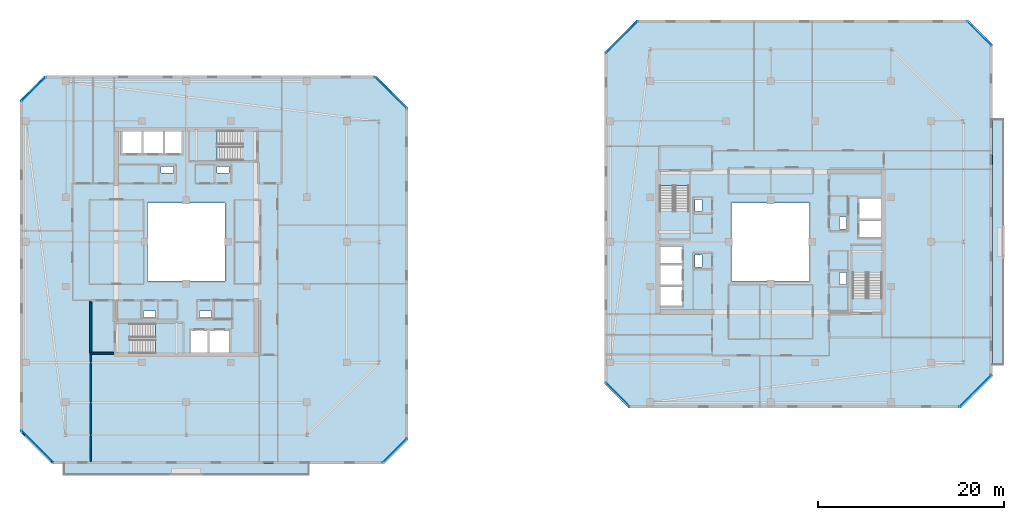
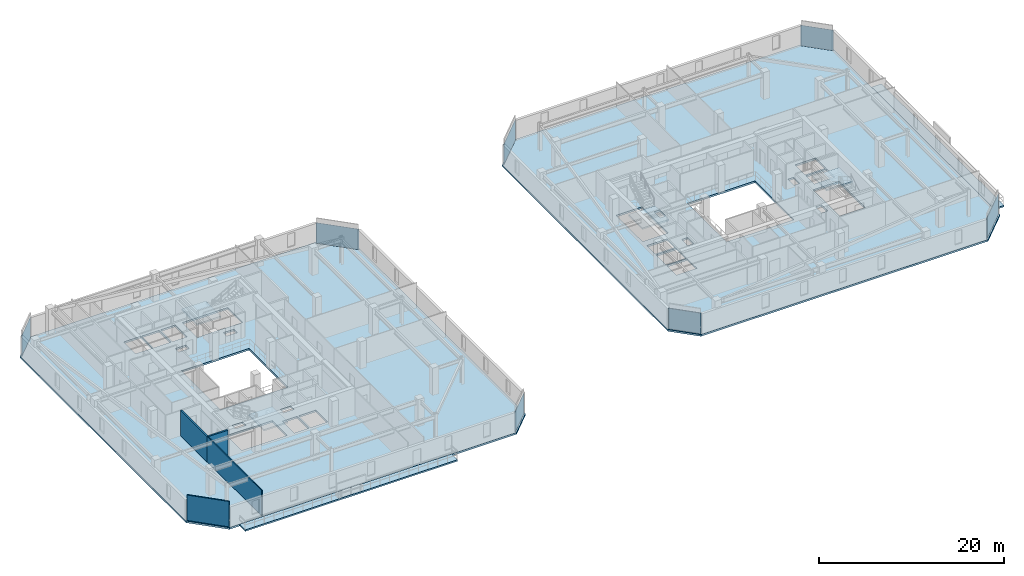
# One storey, part 20 of 35: 8 plates, 8 slabs, 4 walls, 12 elements without a shape of their own.
"""IFC4 building model written with IfcOpenShell, lengths in metres."""

from ifc_helpers import new_model, si_unit, direction, frame, frame_2d, origin, origin_2d, place, context, subcontext, project, spatial, polyline, rectangle, outline, extrude, material, layer, layer_set, type_object, element, aggregate, save


model = new_model("IFC4")

# Units and contexts
model_context = context("Model", 3, precision=1e-05, world=origin(), true_north=direction((0.0, 1.0)))
body_context = subcontext(model_context, "Body", "Model", "MODEL_VIEW")
ifc_project = project(units=[si_unit("LENGTHUNIT", "METRE"), si_unit("AREAUNIT", "SQUARE_METRE"), si_unit("VOLUMEUNIT", "CUBIC_METRE"), si_unit("PLANEANGLEUNIT", "RADIAN"), si_unit("MASSUNIT", "GRAM", prefix="KILO")], contexts=[model_context])

# Site, building, storey
site_placement = place(None, origin())
site = spatial("IfcSite", under=ifc_project, at=site_placement, CompositionType="ELEMENT")
building_placement = place(site_placement, origin())
building = spatial("IfcBuilding", under=site, at=building_placement, Name="Thornwick Lancets Civic Towers", CompositionType="ELEMENT")
storey_placement = place(building_placement, frame((0.0, 0.0, 265.5)))
storey = spatial("IfcBuildingStorey", under=building, at=storey_placement, Name="L71", CompositionType="ELEMENT", Elevation=265.5)

# Curtain wall, plate
ifc_material_1 = material(Name="High-zone chamfered-corner unitised glass curtain wall", Category="glass")
curtain_wall_type = type_object("IfcCurtainWallType", Name="CW_SYS_05", PredefinedType="NOTDEFINED", material=ifc_material_1)
curtain_wall_1_placement = place(storey_placement, origin())
curtain_wall_1 = element("IfcCurtainWall", 1, at=curtain_wall_1_placement, inside=storey, type_object=curtain_wall_type, Name="L71 Curtain Wall CW-L71-A-E1", PredefinedType="NOTDEFINED")
ifc_material_2 = material(Name="Low-e double glazing clear glass", Category="glass")
ifc_layer_1 = layer(ifc_material_2, 0.035888671875, Name="Low-e double glazing clear glass")
ifc_layer_set_1 = layer_set([ifc_layer_1], Name="Low-e double glazing clear glass")
plate_type = type_object("IfcPlateType", Name="CW_PNL_GLASS", PredefinedType="CURTAIN_PANEL", material=ifc_layer_set_1)
plate_1_placement = place(storey_placement, frame((47.972900390625, 4.527099609375, 0.0), z_axis=(0.0, 0.0, 1.0), x_axis=(0.707106781187, 0.707106781187, 0.0)))
plate_1 = element("IfcPlate", 2, at=plate_1_placement, type_object=plate_type, Name="CW-L71-A-E1 Panel 0", PredefinedType="CURTAIN_PANEL", context=body_context, shape_type="SweptSolid", body=[
    extrude(rectangle(XDim=3.649169921875, YDim=0.035888671875, at=origin_2d()), origin(), (0.0, 0.0, 1.0), 2.699951171875),
])
aggregate(curtain_wall_1, [plate_1])

curtain_wall_2_placement = place(storey_placement, origin())
curtain_wall_2 = element("IfcCurtainWall", 3, at=curtain_wall_2_placement, inside=storey, type_object=curtain_wall_type, Name="L71 Curtain Wall CW-L71-A-E3", PredefinedType="NOTDEFINED")
plate_2_placement = place(storey_placement, frame((47.5576171875, 43.0576171875, 0.0), z_axis=(0.0, 0.0, 1.0), x_axis=(-0.707106781187, 0.707106781187, 0.0)))
plate_2 = element("IfcPlate", 4, at=plate_2_placement, type_object=plate_type, Name="CW-L71-A-E3 Panel 0", PredefinedType="CURTAIN_PANEL", context=body_context, shape_type="SweptSolid", body=[
    extrude(rectangle(XDim=4.816162109375, YDim=0.035888671875, at=origin_2d()), origin(), (0.0, 0.0, 1.0), 2.699951171875),
])
aggregate(curtain_wall_2, [plate_2])

curtain_wall_3_placement = place(storey_placement, origin())
curtain_wall_3 = element("IfcCurtainWall", 5, at=curtain_wall_3_placement, inside=storey, type_object=curtain_wall_type, Name="L71 Curtain Wall CW-L71-A-E5", PredefinedType="NOTDEFINED")
plate_3_placement = place(storey_placement, frame((9.027099609375, 43.472900390625, 0.0), z_axis=(0.0, 0.0, 1.0), x_axis=(-0.707106781187, -0.707106781187, 0.0)))
plate_3 = element("IfcPlate", 6, at=plate_3_placement, type_object=plate_type, Name="CW-L71-A-E5 Panel 0", PredefinedType="CURTAIN_PANEL", context=body_context, shape_type="SweptSolid", body=[
    extrude(rectangle(XDim=3.649169921875, YDim=0.035888671875, at=origin_2d()), origin(), (0.0, 0.0, 1.0), 2.699951171875),
])
aggregate(curtain_wall_3, [plate_3])

curtain_wall_4_placement = place(storey_placement, origin())
curtain_wall_4 = element("IfcCurtainWall", 7, at=curtain_wall_4_placement, inside=storey, type_object=curtain_wall_type, Name="L71 Curtain Wall CW-L71-A-E7", PredefinedType="NOTDEFINED")
plate_4_placement = place(storey_placement, frame((9.442138671875, 4.942138671875, 0.0), z_axis=(0.0, 0.0, 1.0), x_axis=(0.707106781187, -0.707106781187, 0.0)))
plate_4 = element("IfcPlate", 8, at=plate_4_placement, type_object=plate_type, Name="CW-L71-A-E7 Panel 0", PredefinedType="CURTAIN_PANEL", context=body_context, shape_type="SweptSolid", body=[
    extrude(rectangle(XDim=4.816162109375, YDim=0.035888671875, at=origin_2d()), origin(), (0.0, 0.0, 1.0), 2.699951171875),
])
aggregate(curtain_wall_4, [plate_4])

curtain_wall_5_placement = place(storey_placement, origin())
curtain_wall_5 = element("IfcCurtainWall", 9, at=curtain_wall_5_placement, inside=storey, type_object=curtain_wall_type, Name="L71 Curtain Wall CW-L71-B-E1", PredefinedType="NOTDEFINED")
plate_5_placement = place(storey_placement, frame((110.5576171875, 10.942138671875, 0.0), z_axis=(0.0, 0.0, 1.0), x_axis=(0.707106781187, 0.707106781187, 0.0)))
plate_5 = element("IfcPlate", 10, at=plate_5_placement, type_object=plate_type, Name="CW-L71-B-E1 Panel 0", PredefinedType="CURTAIN_PANEL", context=body_context, shape_type="SweptSolid", body=[
    extrude(rectangle(XDim=4.816162109375, YDim=0.035888671875, at=origin_2d()), origin(), (0.0, 0.0, 1.0), 2.699951171875),
])
aggregate(curtain_wall_5, [plate_5])

curtain_wall_6_placement = place(storey_placement, origin())
curtain_wall_6 = element("IfcCurtainWall", 11, at=curtain_wall_6_placement, inside=storey, type_object=curtain_wall_type, Name="L71 Curtain Wall CW-L71-B-E3", PredefinedType="NOTDEFINED")
plate_6_placement = place(storey_placement, frame((110.972900390625, 49.472900390625, 0.0), z_axis=(0.0, 0.0, 1.0), x_axis=(-0.707106781187, 0.707106781187, 0.0)))
plate_6 = element("IfcPlate", 12, at=plate_6_placement, type_object=plate_type, Name="CW-L71-B-E3 Panel 0", PredefinedType="CURTAIN_PANEL", context=body_context, shape_type="SweptSolid", body=[
    extrude(rectangle(XDim=3.649169921875, YDim=0.035888671875, at=origin_2d()), origin(), (0.0, 0.0, 1.0), 2.699951171875),
])
aggregate(curtain_wall_6, [plate_6])

curtain_wall_7_placement = place(storey_placement, origin())
curtain_wall_7 = element("IfcCurtainWall", 13, at=curtain_wall_7_placement, inside=storey, type_object=curtain_wall_type, Name="L71 Curtain Wall CW-L71-B-E5", PredefinedType="NOTDEFINED")
plate_7_placement = place(storey_placement, frame((72.4423828125, 49.0576171875, 0.0), z_axis=(0.0, 0.0, 1.0), x_axis=(-0.707106781187, -0.707106781187, 0.0)))
plate_7 = element("IfcPlate", 14, at=plate_7_placement, type_object=plate_type, Name="CW-L71-B-E5 Panel 0", PredefinedType="CURTAIN_PANEL", context=body_context, shape_type="SweptSolid", body=[
    extrude(rectangle(XDim=4.816162109375, YDim=0.035888671875, at=origin_2d()), origin(), (0.0, 0.0, 1.0), 2.699951171875),
])
aggregate(curtain_wall_7, [plate_7])

curtain_wall_8_placement = place(storey_placement, origin())
curtain_wall_8 = element("IfcCurtainWall", 15, at=curtain_wall_8_placement, inside=storey, type_object=curtain_wall_type, Name="L71 Curtain Wall CW-L71-B-E7", PredefinedType="NOTDEFINED")
plate_8_placement = place(storey_placement, frame((72.027099609375, 10.527099609375, 0.0), z_axis=(0.0, 0.0, 1.0), x_axis=(0.707106781187, -0.707106781187, 0.0)))
plate_8 = element("IfcPlate", 16, at=plate_8_placement, type_object=plate_type, Name="CW-L71-B-E7 Panel 0", PredefinedType="CURTAIN_PANEL", context=body_context, shape_type="SweptSolid", body=[
    extrude(rectangle(XDim=3.649169921875, YDim=0.035888671875, at=origin_2d()), origin(), (0.0, 0.0, 1.0), 2.699951171875),
])
aggregate(curtain_wall_8, [plate_8])

# Slabs
ifc_material_3 = material(Name="Post-tensioned concrete C40/50", Category="concrete")
ifc_layer_2 = layer(ifc_material_3, 0.199951171875, Name="Post-tensioned concrete C40/50")
ifc_layer_set_2 = layer_set([ifc_layer_2], Name="Post-tensioned concrete C40/50")
slab_type_1 = type_object("IfcSlabType", Name="SLAB_BALCONY_200", PredefinedType="FLOOR", material=ifc_layer_set_2)
slab_1_placement = place(storey_placement, frame((0.0, 0.0, -0.199951171875)))
element("IfcSlab", 17, at=slab_1_placement, inside=storey, type_object=slab_type_1, Name="L71 Tower A Planted Balcony Slab S", PredefinedType="FLOOR", context=body_context, shape_type="SweptSolid", body=[
    extrude(outline(polyline([(12.300048828125, 1.85009765625), (38.699951171875, 1.85009765625), (38.699951171875, 3.10009765625), (12.300048828125, 3.10009765625), (12.300048828125, 1.85009765625)])), origin(), (0.0, 0.0, 1.0), 0.199951171875),
])
slab_2_placement = place(storey_placement, frame((0.0, 0.0, -0.199951171875)))
element("IfcSlab", 18, at=slab_2_placement, inside=storey, type_object=slab_type_1, Name="L71 Tower B Planted Balcony Slab E", PredefinedType="FLOOR", context=body_context, shape_type="SweptSolid", body=[
    extrude(outline(polyline([(112.39990234375, 13.800048828125), (113.64990234375, 13.800048828125), (113.64990234375, 40.199951171875), (112.39990234375, 40.199951171875), (112.39990234375, 13.800048828125)])), origin(), (0.0, 0.0, 1.0), 0.199951171875),
])

# Stair, slab
ifc_material_4 = material(Name="Concrete C40/50", Category="concrete")
stair_type = type_object("IfcStairType", Name="STAIR_DL_3600", PredefinedType="HALF_TURN_STAIR", material=ifc_material_4)
stair_1_placement = place(storey_placement, origin())
stair_1 = element("IfcStair", 19, at=stair_1_placement, inside=storey, type_object=stair_type, Name="L71 Tower A South Exit Stair ST-A1", PredefinedType="HALF_TURN_STAIR")
ifc_layer_3 = layer(ifc_material_4, 0.25, Name="Concrete C40/50")
ifc_layer_set_3 = layer_set([ifc_layer_3], Name="Concrete C40/50")
slab_type_2 = type_object("IfcSlabType", Name="SLAB_LANDING_200", PredefinedType="LANDING", material=ifc_layer_set_3)
slab_3_placement = place(storey_placement, frame((0.0, 0.0, 1.60302734375)))
slab_3 = element("IfcSlab", 20, at=slab_3_placement, type_object=slab_type_2, Name="ST-A1 landing 1", PredefinedType="LANDING", context=body_context, shape_type="SweptSolid", body=[
    extrude(outline(polyline([(22.169921875, 14.93994140625), (25.14990234375, 14.93994140625), (25.14990234375, 18.260009765625), (22.169921875, 18.260009765625), (22.169921875, 14.93994140625)])), origin(), (0.0, 0.0, 1.0), 0.199951171875),
])
aggregate(stair_1, [slab_3])

stair_2_placement = place(storey_placement, origin())
stair_2 = element("IfcStair", 21, at=stair_2_placement, inside=storey, type_object=stair_type, Name="L71 Tower A North Exit Stair ST-A2", PredefinedType="HALF_TURN_STAIR")
slab_4_placement = place(storey_placement, frame((0.0, 0.0, 1.60302734375)))
slab_4 = element("IfcSlab", 22, at=slab_4_placement, type_object=slab_type_2, Name="ST-A2 landing 1", PredefinedType="LANDING", context=body_context, shape_type="SweptSolid", body=[
    extrude(outline(polyline([(28.830078125, 39.06005859375), (25.85009765625, 39.06005859375), (25.85009765625, 35.739990234375), (28.830078125, 35.739990234375), (28.830078125, 39.06005859375)])), origin(), (0.0, 0.0, 1.0), 0.199951171875),
])
aggregate(stair_2, [slab_4])

stair_3_placement = place(storey_placement, origin())
stair_3 = element("IfcStair", 23, at=stair_3_placement, inside=storey, type_object=stair_type, Name="L71 Tower B East Exit Stair ST-B1", PredefinedType="HALF_TURN_STAIR")
slab_5_placement = place(storey_placement, frame((0.0, 0.0, 1.60302734375)))
slab_5 = element("IfcSlab", 24, at=slab_5_placement, type_object=slab_type_2, Name="ST-B1 landing 1", PredefinedType="LANDING", context=body_context, shape_type="SweptSolid", body=[
    extrude(outline(polyline([(100.56005859375, 23.669921875), (100.56005859375, 26.64990234375), (97.239990234375, 26.64990234375), (97.239990234375, 23.669921875), (100.56005859375, 23.669921875)])), origin(), (0.0, 0.0, 1.0), 0.199951171875),
])
aggregate(stair_3, [slab_5])

stair_4_placement = place(storey_placement, origin())
stair_4 = element("IfcStair", 25, at=stair_4_placement, inside=storey, type_object=stair_type, Name="L71 Tower B West Exit Stair ST-B2", PredefinedType="HALF_TURN_STAIR")
slab_6_placement = place(storey_placement, frame((0.0, 0.0, 1.60302734375)))
slab_6 = element("IfcSlab", 26, at=slab_6_placement, type_object=slab_type_2, Name="ST-B2 landing 1", PredefinedType="LANDING", context=body_context, shape_type="SweptSolid", body=[
    extrude(outline(polyline([(76.43994140625, 30.330078125), (76.43994140625, 27.35009765625), (79.760009765625, 27.35009765625), (79.760009765625, 30.330078125), (76.43994140625, 30.330078125)])), origin(), (0.0, 0.0, 1.0), 0.199951171875),
])
aggregate(stair_4, [slab_6])

# Slabs
ifc_layer_4 = layer(ifc_material_3, 0.239990234375, Name="Post-tensioned concrete C40/50")
ifc_layer_set_4 = layer_set([ifc_layer_4], Name="Post-tensioned concrete C40/50")
slab_type_3 = type_object("IfcSlabType", Name="SLAB_PT_240", PredefinedType="FLOOR", material=ifc_layer_set_4)
slab_7_placement = place(storey_placement, frame((0.0, 0.0, -0.239990234375)))
element("IfcSlab", 27, at=slab_7_placement, inside=storey, type_object=slab_type_3, Name="L71 Tower A Floor Slab", PredefinedType="FLOOR", context=body_context, shape_type="SweptSolid", body=[
    extrude(outline(polyline([(11.031005859375, 3.10009765625), (46.800048828125, 3.10009765625), (49.39990234375, 5.699951171875), (49.39990234375, 41.468994140625), (45.968994140625, 44.89990234375), (10.199951171875, 44.89990234375), (7.60009765625, 42.300048828125), (7.60009765625, 6.531005859375), (11.031005859375, 3.10009765625)]), holes=[polyline([(21.300048828125, 22.800048828125), (29.699951171875, 22.800048828125), (29.699951171875, 31.199951171875), (21.300048828125, 31.199951171875), (21.300048828125, 22.800048828125)]), polyline([(19.429931640625, 15.0), (25.10009765625, 15.0), (25.10009765625, 18.199951171875), (19.429931640625, 18.199951171875), (19.429931640625, 15.0)]), polyline([(31.570068359375, 39.0), (25.89990234375, 39.0), (25.89990234375, 35.800048828125), (31.570068359375, 35.800048828125), (31.570068359375, 39.0)]), polyline([(26.0, 15.0), (27.800048828125, 15.0), (27.800048828125, 17.550048828125), (26.0, 17.550048828125), (26.0, 15.0)]), polyline([(28.0, 15.0), (30.14990234375, 15.0), (30.14990234375, 17.550048828125), (28.0, 17.550048828125), (28.0, 15.0)]), polyline([(23.199951171875, 36.449951171875), (25.0, 36.449951171875), (25.0, 39.0), (23.199951171875, 39.0), (23.199951171875, 36.449951171875)]), polyline([(20.85009765625, 36.449951171875), (23.0, 36.449951171875), (23.0, 39.0), (20.85009765625, 39.0), (20.85009765625, 36.449951171875)]), polyline([(18.60009765625, 36.449951171875), (20.699951171875, 36.449951171875), (20.699951171875, 39.0), (18.60009765625, 39.0), (18.60009765625, 36.449951171875)]), polyline([(26.89990234375, 18.85009765625), (28.199951171875, 18.85009765625), (28.199951171875, 19.580078125), (26.89990234375, 19.580078125), (26.89990234375, 18.85009765625)]), polyline([(20.89990234375, 18.85009765625), (22.199951171875, 18.85009765625), (22.199951171875, 19.580078125), (20.89990234375, 19.580078125), (20.89990234375, 18.85009765625)]), polyline([(22.800048828125, 34.419921875), (24.10009765625, 34.419921875), (24.10009765625, 35.14990234375), (22.800048828125, 35.14990234375), (22.800048828125, 34.419921875)]), polyline([(28.800048828125, 34.419921875), (30.10009765625, 34.419921875), (30.10009765625, 35.14990234375), (28.800048828125, 35.14990234375), (28.800048828125, 34.419921875)])]), origin(), (0.0, 0.0, 1.0), 0.239990234375),
])
slab_8_placement = place(storey_placement, frame((0.0, 0.0, -0.239990234375)))
element("IfcSlab", 28, at=slab_8_placement, inside=storey, type_object=slab_type_3, Name="L71 Tower B Floor Slab", PredefinedType="FLOOR", context=body_context, shape_type="SweptSolid", body=[
    extrude(outline(polyline([(73.199951171875, 9.10009765625), (108.968994140625, 9.10009765625), (112.39990234375, 12.531005859375), (112.39990234375, 48.300048828125), (109.800048828125, 50.89990234375), (74.031005859375, 50.89990234375), (70.60009765625, 47.468994140625), (70.60009765625, 11.699951171875), (73.199951171875, 9.10009765625)]), holes=[polyline([(84.300048828125, 22.800048828125), (92.699951171875, 22.800048828125), (92.699951171875, 31.199951171875), (84.300048828125, 31.199951171875), (84.300048828125, 22.800048828125)]), polyline([(100.5, 20.929931640625), (100.5, 26.60009765625), (97.300048828125, 26.60009765625), (97.300048828125, 20.929931640625), (100.5, 20.929931640625)]), polyline([(76.5, 33.070068359375), (76.5, 27.39990234375), (79.699951171875, 27.39990234375), (79.699951171875, 33.070068359375), (76.5, 33.070068359375)]), polyline([(97.949951171875, 27.5), (100.5, 27.5), (100.5, 29.300048828125), (97.949951171875, 29.300048828125), (97.949951171875, 27.5)]), polyline([(97.949951171875, 29.5), (100.5, 29.5), (100.5, 31.64990234375), (97.949951171875, 31.64990234375), (97.949951171875, 29.5)]), polyline([(76.5, 24.699951171875), (79.050048828125, 24.699951171875), (79.050048828125, 26.5), (76.5, 26.5), (76.5, 24.699951171875)]), polyline([(76.5, 22.35009765625), (79.050048828125, 22.35009765625), (79.050048828125, 24.5), (76.5, 24.5), (76.5, 22.35009765625)]), polyline([(76.5, 20.10009765625), (79.050048828125, 20.10009765625), (79.050048828125, 22.199951171875), (76.5, 22.199951171875), (76.5, 20.10009765625)]), polyline([(95.919921875, 28.39990234375), (96.64990234375, 28.39990234375), (96.64990234375, 29.699951171875), (95.919921875, 29.699951171875), (95.919921875, 28.39990234375)]), polyline([(95.919921875, 22.39990234375), (96.64990234375, 22.39990234375), (96.64990234375, 23.699951171875), (95.919921875, 23.699951171875), (95.919921875, 22.39990234375)]), polyline([(80.35009765625, 24.300048828125), (81.080078125, 24.300048828125), (81.080078125, 25.60009765625), (80.35009765625, 25.60009765625), (80.35009765625, 24.300048828125)]), polyline([(80.35009765625, 30.300048828125), (81.080078125, 30.300048828125), (81.080078125, 31.60009765625), (80.35009765625, 31.60009765625), (80.35009765625, 30.300048828125)])]), origin(), (0.0, 0.0, 1.0), 0.239990234375),
])

# Walls
ifc_material_5 = material(Name="Concrete blockwork C40/50", Category="masonry")
ifc_layer_5 = layer(ifc_material_5, 0.199951171875, Name="Concrete blockwork C40/50")
ifc_layer_set_5 = layer_set([ifc_layer_5], Name="Concrete blockwork C40/50")
wall_type_1 = type_object("IfcWallType", Name="WALL_COMP_200", PredefinedType="STANDARD", material=ifc_layer_set_5)
wall_1_placement = place(storey_placement, frame((15.199951171875, 15.0, 0.0), z_axis=(0.0, 0.0, 1.0), x_axis=(1.0, 0.0, 0.0)))
element("IfcWall", 29, at=wall_1_placement, inside=storey, type_object=wall_type_1, Name="L71 Partition L71-A-FFLOB1 E1", PredefinedType="STANDARD", context=body_context, shape_type="SweptSolid", body=[
    extrude(rectangle(XDim=2.5, YDim=0.199951171875, at=frame_2d((1.25, 0.0))), origin(), (0.0, 0.0, 1.0), 3.340087890625),
])
wall_2_placement = place(storey_placement, frame((15.199951171875, 20.699951171875, 0.0), z_axis=(0.0, 0.0, 1.0), x_axis=(0.0, -1.0, 0.0)))
element("IfcWall", 30, at=wall_2_placement, inside=storey, type_object=wall_type_1, Name="L71 Partition L71-A-FFLOB1 E4", PredefinedType="STANDARD", context=body_context, shape_type="SweptSolid", body=[
    extrude(rectangle(XDim=5.699951171875, YDim=0.199951171875, at=frame_2d((2.85009765625, 0.0))), origin(), (0.0, 0.0, 1.0), 3.340087890625),
])
ifc_material_6 = material(Name="Acoustic gypsum board partition")
ifc_layer_6 = layer(ifc_material_6, 0.1201171875, Name="Acoustic gypsum board partition")
ifc_layer_set_6 = layer_set([ifc_layer_6], Name="Acoustic gypsum board partition")
wall_type_2 = type_object("IfcWallType", Name="WALL_PART_120", PredefinedType="PARTITIONING", material=ifc_layer_set_6)
wall_3_placement = place(storey_placement, frame((15.199951171875, 15.0, 0.0), z_axis=(0.0, 0.0, 1.0), x_axis=(0.0, -1.0, 0.0)))
element("IfcWall", 31, at=wall_3_placement, inside=storey, type_object=wall_type_2, Name="L71 Partition L71-A-W1 E5", PredefinedType="PARTITIONING", context=body_context, shape_type="SweptSolid", body=[
    extrude(rectangle(XDim=11.719970703125, YDim=0.1201171875, at=frame_2d((5.85986328125, 0.0))), origin(), (0.0, 0.0, 1.0), 3.340087890625),
])
wall_4_placement = place(storey_placement, frame((11.105712890625, 3.280029296875, 0.0), z_axis=(0.0, 0.0, 1.0), x_axis=(-0.707106781187, 0.707106781187, 0.0)))
element("IfcWall", 32, at=wall_4_placement, inside=storey, type_object=wall_type_2, Name="L71 Partition L71-A-W1 E7", PredefinedType="PARTITIONING", context=body_context, shape_type="SweptSolid", body=[
    extrude(rectangle(XDim=4.703125, YDim=0.1201171875, at=frame_2d((2.3515625, 0.0))), origin(), (0.0, 0.0, 1.0), 3.340087890625),
])

save(model, "model.ifc")
